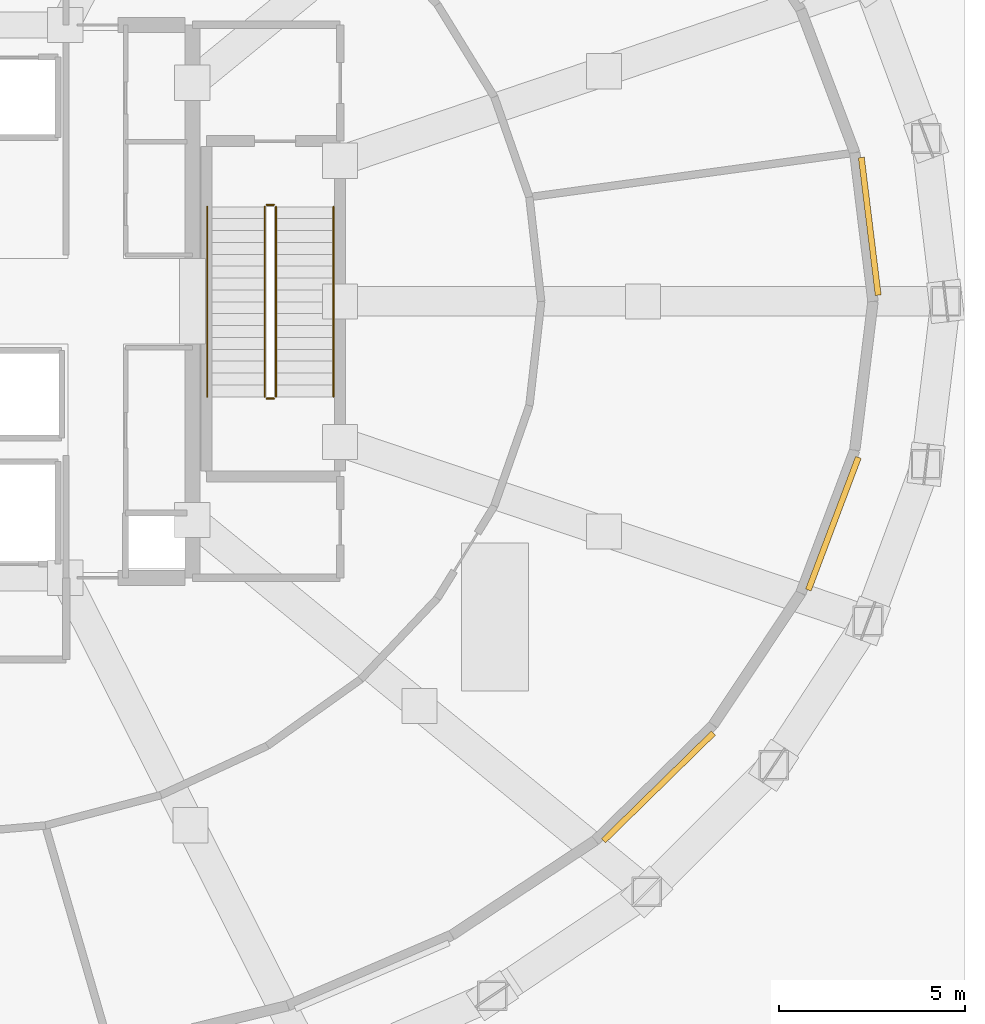
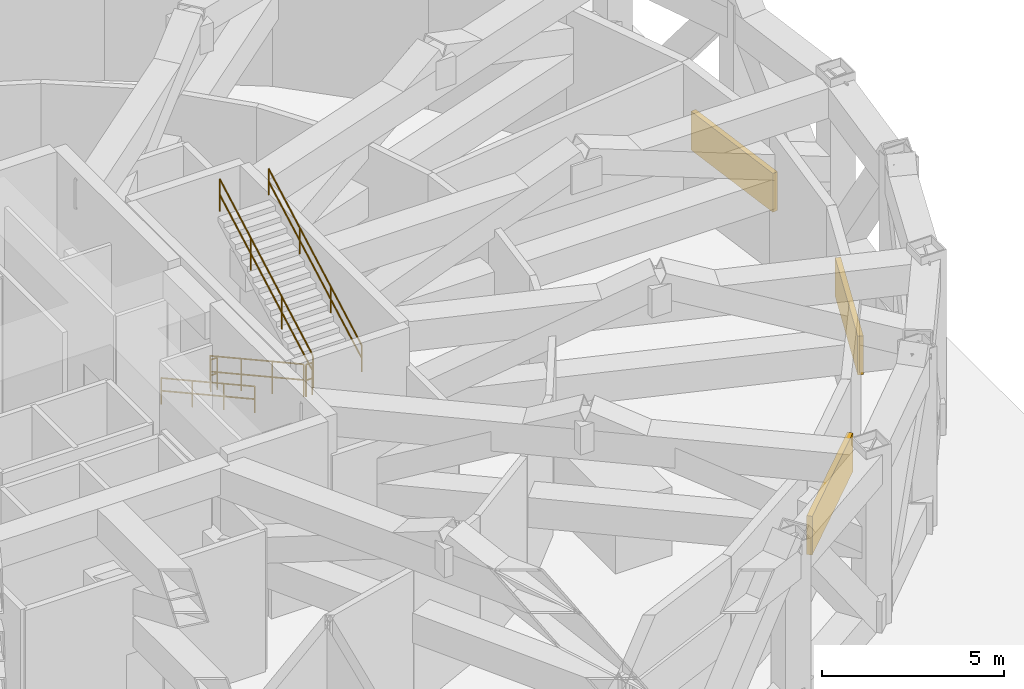
# One storey, part 10 of 12: 6 railings, 3 shading devices.
"""IFC4 building model written with IfcOpenShell, lengths in metres."""

import ifcopenshell
import ifcopenshell.guid

model = None  # the IFC model being written
_history = None  # IfcOwnerHistory: only IFC2X3 demands one
_inside = {}  # id of a spatial element -> (the spatial element, [elements in it])
_under = {}  # id of a project, library or spatial element -> (it, [spatial elements below it])
_declared = {}  # id of a project -> (the project, [libraries it declares])
_typed = {}  # id of a type object -> (the type object, [elements of that type])
_made_of = {}  # id of a material, layer set ... -> (it, [elements and type objects made of it])


def new_model(schema):
    """Start an empty IFC model of exactly this schema.

    Asked for "IFC4X3", IfcOpenShell would pick the latest addendum, in which some entities
    have other attributes; the version numbers below select the first issue.
    IFC2X3 requires an IfcOwnerHistory on every rooted entity: one is made here for all.
    """
    global model, _history
    if schema == "IFC4X3":
        model = ifcopenshell.file(schema_version=(4, 3, 0, 0))
    else:
        model = ifcopenshell.file(schema=schema)
    _inside.clear()
    _under.clear()
    _declared.clear()
    _typed.clear()
    _made_of.clear()
    _history = None
    if model.schema == "IFC2X3":
        org = make("IfcOrganization", Name="unknown")
        user = make(
            "IfcPersonAndOrganization",
            ThePerson=make("IfcPerson", FamilyName="unknown"),
            TheOrganization=org,
        )
        app = make(
            "IfcApplication",
            ApplicationDeveloper=org,
            Version="unknown",
            ApplicationFullName="unknown",
            ApplicationIdentifier="unknown",
        )
        _history = make(
            "IfcOwnerHistory",
            OwningUser=user,
            OwningApplication=app,
            ChangeAction="ADDED",
            CreationDate=0,
        )
    return model


def make(cls, **values):
    """One entity of the class cls with the attributes given. An attribute that is None is left unset."""
    return model.create_entity(
        cls, **{name: value for name, value in values.items() if value is not None}
    )


def rooted(cls, **values):
    """An entity with a GlobalId (a new one), such as an element, a storey or a relation."""
    return make(cls, GlobalId=ifcopenshell.guid.new(), OwnerHistory=_history, **values)


def si_unit(unit_type, name, prefix=None):
    """IfcSIUnit, for example si_unit("LENGTHUNIT", "METRE", prefix="MILLI")."""
    return make("IfcSIUnit", UnitType=unit_type, Prefix=prefix, Name=name)


def assignment(units):
    """IfcUnitAssignment: the units of a project."""
    return None if units is None else make("IfcUnitAssignment", Units=units)


def point(xyz):
    """IfcCartesianPoint."""
    return None if xyz is None else make("IfcCartesianPoint", Coordinates=xyz)


def direction(xyz):
    """IfcDirection."""
    return None if xyz is None else make("IfcDirection", DirectionRatios=xyz)


def frame(location, z_axis=None, x_axis=None):
    """IfcAxis2Placement3D, a coordinate frame: its origin and axes. An axis left out is left unset."""
    return make(
        "IfcAxis2Placement3D",
        Location=point(location),
        Axis=direction(z_axis),
        RefDirection=direction(x_axis),
    )


def frame_2d(location, x_axis=None):
    """IfcAxis2Placement2D, a coordinate frame in the plane: its origin and x axis."""
    return make(
        "IfcAxis2Placement2D", Location=point(location), RefDirection=direction(x_axis)
    )


def origin():
    """The frame at (0, 0, 0) with its axes left unset."""
    return frame((0.0, 0.0, 0.0))


def origin_2d():
    """The frame at (0, 0) in the plane with its x axis left unset."""
    return frame_2d((0.0, 0.0))


def place(relative_to, where):
    """IfcLocalPlacement: puts the frame where relative to a parent placement (None: the world)."""
    return make(
        "IfcLocalPlacement", PlacementRelTo=relative_to, RelativePlacement=where
    )


def context(
    kind, dimensions, precision=None, world=None, true_north=None, identifier=None
):
    """IfcGeometricRepresentationContext, for example the 3D "Model" context."""
    return make(
        "IfcGeometricRepresentationContext",
        ContextIdentifier=identifier,
        ContextType=kind,
        CoordinateSpaceDimension=dimensions,
        Precision=precision,
        WorldCoordinateSystem=world,
        TrueNorth=true_north,
    )


def subcontext(parent, identifier, kind, view, scale=None):
    """IfcGeometricRepresentationSubContext, for example "Body" below "Model"."""
    return make(
        "IfcGeometricRepresentationSubContext",
        ContextIdentifier=identifier,
        ContextType=kind,
        ParentContext=parent,
        TargetScale=scale,
        TargetView=view,
    )


def project(units=None, contexts=None):
    """IfcProject with its units and contexts."""
    return rooted(
        "IfcProject",
        Name="project",
        RepresentationContexts=contexts,
        UnitsInContext=assignment(units),
    )


def spatial(cls, under=None, at=None, **own):
    """A site, building, storey or space (cls), placed at a placement, below another one or the project."""
    s = rooted(cls, ObjectPlacement=at, **own)
    if under is not None:
        _under.setdefault(under.id(), (under, []))[1].append(s)
    return s


def profile(cls, at=None, kind="AREA", **sizes):
    """A parametric profile (cls). Its sizes go by their IFC names, for example OverallWidth=200.0."""
    return make(cls, ProfileType=kind, Position=at, **sizes)


def rectangle(**sizes):
    """IfcRectangleProfileDef."""
    return profile("IfcRectangleProfileDef", **sizes)


def circle(**sizes):
    """IfcCircleProfileDef."""
    return profile("IfcCircleProfileDef", **sizes)


def extrude(swept, where, along, depth):
    """IfcExtrudedAreaSolid: the profile swept, set in the frame where, extruded along a direction by depth."""
    return make(
        "IfcExtrudedAreaSolid",
        SweptArea=swept,
        Position=where,
        ExtrudedDirection=direction(along),
        Depth=depth,
    )


def shape(context_of_items, identifier, shape_type, items):
    """IfcShapeRepresentation: the items that make up one representation, for example the "Body"."""
    return make(
        "IfcShapeRepresentation",
        ContextOfItems=context_of_items,
        RepresentationIdentifier=identifier,
        RepresentationType=shape_type,
        Items=items,
    )


def material(Name=None, Category=None):
    """IfcMaterial."""
    return make("IfcMaterial", Name=Name, Category=Category)


def layer(
    of_material, thickness, ventilated=None, Name=None, Category=None, Priority=None
):
    """IfcMaterialLayer: one layer of a wall or slab, of a material (None: an air gap)."""
    return make(
        "IfcMaterialLayer",
        Material=of_material,
        LayerThickness=thickness,
        IsVentilated=ventilated,
        Name=Name,
        Category=Category,
        Priority=Priority,
    )


def layer_set(layers, Name=None):
    """IfcMaterialLayerSet."""
    return make("IfcMaterialLayerSet", MaterialLayers=layers, LayerSetName=Name)


def made_of(thing, what):
    """Note that an element or type object is made of a material, layer set ...; save() writes the relation."""
    if what is not None:
        _made_of.setdefault(what.id(), (what, []))[1].append(thing)
    return thing


def type_object(cls, material=None, **own):
    """A type object (cls), such as IfcWallType, which elements share."""
    return made_of(rooted(cls, **own), material)


def element(
    cls,
    number,
    at=None,
    inside=None,
    cuts=None,
    type_object=None,
    material=None,
    context=None,
    identifier="Body",
    shape_type=None,
    held_by="IfcProductDefinitionShape",
    body=None,
    shapes=None,
    **own,
):
    """One element of the class cls, such as IfcWall. Its Tag is "e" and its number.

    at: its placement. inside: the storey or other place that contains it. cuts: it is an
    opening in that element (IfcRelVoidsElement). A single representation is given by context,
    identifier, shape_type and body (its items); several are given by shapes. held_by: the class
    of the entity that holds the representations. save() writes the other relations.
    """
    e = rooted(cls, Tag="e%d" % number, ObjectPlacement=at, **own)
    if body is not None:
        shapes = [shape(context, identifier, shape_type, body)]
    if shapes is not None:
        e.Representation = make(held_by, Representations=shapes)
    if inside is not None:
        _inside.setdefault(inside.id(), (inside, []))[1].append(e)
    if cuts is not None:
        rooted(
            "IfcRelVoidsElement", RelatingBuildingElement=cuts, RelatedOpeningElement=e
        )
    if type_object is not None:
        _typed.setdefault(type_object.id(), (type_object, []))[1].append(e)
    return made_of(e, material)


def aggregate(whole, parts):
    """IfcRelAggregates: a whole, such as a stair, and the parts it consists of."""
    return rooted("IfcRelAggregates", RelatingObject=whole, RelatedObjects=parts)


def save(model, path):
    """Write the relations noted so far, then the file.

    IfcRelAggregates (storeys below a building ...), IfcRelContainedInSpatialStructure (elements
    in a storey), IfcRelDefinesByType, IfcRelAssociatesMaterial and IfcRelDeclares: one each for
    every whole, place, type object, material and project.
    """
    for whole, parts in _under.values():
        aggregate(whole, parts)
    for where, things in _inside.values():
        rooted(
            "IfcRelContainedInSpatialStructure",
            RelatedElements=things,
            RelatingStructure=where,
        )
    for kind, things in _typed.values():
        rooted("IfcRelDefinesByType", RelatedObjects=things, RelatingType=kind)
    for what, things in _made_of.values():
        rooted("IfcRelAssociatesMaterial", RelatedObjects=things, RelatingMaterial=what)
    for by, libraries in _declared.values():
        rooted("IfcRelDeclares", RelatingContext=by, RelatedDefinitions=libraries)
    model.write(path)


model = new_model("IFC4")

# Units and contexts
model_context = context("Model", 3, precision=1e-05, world=origin(), true_north=direction((0.0, 1.0)))
body_context = subcontext(model_context, "Body", "Model", "MODEL_VIEW")
ifc_project = project(units=[si_unit("LENGTHUNIT", "METRE"), si_unit("AREAUNIT", "SQUARE_METRE"), si_unit("VOLUMEUNIT", "CUBIC_METRE"), si_unit("PLANEANGLEUNIT", "RADIAN"), si_unit("MASSUNIT", "GRAM", prefix="KILO")], contexts=[model_context])

# Site, building, storey
site_placement = place(None, origin())
site = spatial("IfcSite", under=ifc_project, at=site_placement, CompositionType="ELEMENT")
building_placement = place(site_placement, origin())
building = spatial("IfcBuilding", under=site, at=building_placement, Name="Veldorina Hangang Commons", CompositionType="ELEMENT")
storey_placement = place(building_placement, frame((0.0, 0.0, 24.39990234375)))
storey = spatial("IfcBuildingStorey", under=building, at=storey_placement, Name="L05", CompositionType="ELEMENT", Elevation=24.39990234375)

# Shading devices
ifc_material_1 = material(Name="Bronze Perforated Anodized", Category="metal")
ifc_layer = layer(ifc_material_1, 0.159912109375)
ifc_layer_set = layer_set([ifc_layer], Name="Bronze Perforated Anodized")
shading_device_type = type_object("IfcShadingDeviceType", Name="LVR-WND-4800", PredefinedType="JALOUSIE", material=ifc_layer_set)
shading_device_1_placement = place(storey_placement, frame((57.45361328125, 26.02294921875, 1.75), z_axis=(0.0, 0.0, 1.0), x_axis=(-0.121540195942, 0.992586510472, 0.0)))
element("IfcShadingDevice", 1, at=shading_device_1_placement, inside=storey, type_object=shading_device_type, Name="L05 transfer plant acoustic louvre 00", PredefinedType="JALOUSIE", context=body_context, shape_type="SweptSolid", body=[
    extrude(rectangle(XDim=3.737060546875, YDim=0.159912109375, at=origin_2d()), origin(), (0.0, 0.0, 1.0), 1.300048828125),
])
shading_device_2_placement = place(storey_placement, frame((51.759521484375, 10.91796875, 1.75), z_axis=(0.0, 0.0, 1.0), x_axis=(0.714216191641, 0.699925161427, 0.0)))
element("IfcShadingDevice", 2, at=shading_device_2_placement, inside=storey, type_object=shading_device_type, Name="L05 transfer plant acoustic louvre 28", PredefinedType="JALOUSIE", context=body_context, shape_type="SweptSolid", body=[
    extrude(rectangle(XDim=4.147216796875, YDim=0.159912109375, at=origin_2d()), origin(), (0.0, 0.0, 1.0), 1.300048828125),
])
shading_device_3_placement = place(storey_placement, frame((56.472412109375, 18.009765625, 1.75), z_axis=(0.0, 0.0, 1.0), x_axis=(0.352936008096, 0.935647462557, 0.0)))
element("IfcShadingDevice", 3, at=shading_device_3_placement, inside=storey, type_object=shading_device_type, Name="L05 transfer plant acoustic louvre 30", PredefinedType="JALOUSIE", context=body_context, shape_type="SweptSolid", body=[
    extrude(rectangle(XDim=3.818115234375, YDim=0.159912109375, at=origin_2d()), origin(), (0.0, 0.0, 1.0), 1.300048828125),
])

# Railings
ifc_material_2 = material(Name="Steel Painted Balustrade", Category="steel")
railing_type_1 = type_object("IfcRailingType", Name="RL-GRD-STAIR", PredefinedType="GUARDRAIL", material=ifc_material_2)
railing_1_placement = place(storey_placement, frame((41.14990234375, 26.550048828125, 0.176513671875)))
element("IfcRailing", 4, at=railing_1_placement, inside=storey, type_object=railing_type_1, Name="L05 ST-2 stair guard 1", PredefinedType="GUARDRAIL", context=body_context, shape_type="SweptSolid", body=[
    extrude(circle(Radius=0.02392578125, at=origin_2d()), frame((0.0, 0.0, 1.076171875), z_axis=(0.0, -0.875679367934, 0.482892994953), x_axis=(1.0, 0.0, 0.0)), (0.0, 0.0, 1.0), 5.846923828125),
    extrude(circle(Radius=0.02392578125, at=origin_2d()), frame((0.0, 0.0, 0.550048828125), z_axis=(0.0, -0.875679367934, 0.482892994953), x_axis=(1.0, 0.0, 0.0)), (0.0, 0.0, 1.0), 5.846923828125),
    extrude(circle(Radius=0.02099609375, at=origin_2d()), origin(), (0.0, 0.0, 1.0), 1.052001953125),
    extrude(circle(Radius=0.02099609375, at=origin_2d()), frame((0.0, -1.706787109375, 0.941162109375)), (0.0, 0.0, 1.0), 1.052001953125),
    extrude(circle(Radius=0.02099609375, at=origin_2d()), frame((0.0, -3.413330078125, 1.88232421875)), (0.0, 0.0, 1.0), 1.052001953125),
    extrude(circle(Radius=0.02099609375, at=origin_2d()), frame((0.0, -5.1201171875, 2.823486328125)), (0.0, 0.0, 1.0), 1.052001953125),
])
railing_2_placement = place(storey_placement, frame((41.199951171875, 21.3798828125, 3.0)))
element("IfcRailing", 5, at=railing_2_placement, inside=storey, type_object=railing_type_1, Name="L05 ST-2 stair guard 2", PredefinedType="GUARDRAIL", context=body_context, shape_type="SweptSolid", body=[
    extrude(circle(Radius=0.02392578125, at=origin_2d()), frame((0.0, 0.0, 1.076171875), z_axis=(1.0, 0.0, 0.0), x_axis=(0.0, 1.0, 0.0)), (0.0, 0.0, 1.0), 0.199951171875),
    extrude(circle(Radius=0.02392578125, at=origin_2d()), frame((0.0, 0.0, 0.550048828125), z_axis=(1.0, 0.0, 0.0), x_axis=(0.0, 1.0, 0.0)), (0.0, 0.0, 1.0), 0.199951171875),
    extrude(circle(Radius=0.02099609375, at=origin_2d()), origin(), (0.0, 0.0, 1.0), 1.052001953125),
    extrude(circle(Radius=0.02099609375, at=origin_2d()), frame((0.199951171875, 0.0, 0.0)), (0.0, 0.0, 1.0), 1.052001953125),
])
railing_3_placement = place(storey_placement, frame((41.449951171875, 21.429931640625, 3.176513671875)))
element("IfcRailing", 6, at=railing_3_placement, inside=storey, type_object=railing_type_1, Name="L05 ST-2 stair guard 3", PredefinedType="GUARDRAIL", context=body_context, shape_type="SweptSolid", body=[
    extrude(circle(Radius=0.02392578125, at=origin_2d()), frame((0.0, 0.0, 1.076171875), z_axis=(0.0, 0.875679367934, 0.482892994953), x_axis=(-1.0, 0.0, 0.0)), (0.0, 0.0, 1.0), 5.846923828125),
    extrude(circle(Radius=0.02392578125, at=origin_2d()), frame((0.0, 0.0, 0.550048828125), z_axis=(0.0, 0.875679367934, 0.482892994953), x_axis=(-1.0, 0.0, 0.0)), (0.0, 0.0, 1.0), 5.846923828125),
    extrude(circle(Radius=0.02099609375, at=origin_2d()), origin(), (0.0, 0.0, 1.0), 1.052001953125),
    extrude(circle(Radius=0.02099609375, at=origin_2d()), frame((0.0, 1.706787109375, 0.941162109375)), (0.0, 0.0, 1.0), 1.052001953125),
    extrude(circle(Radius=0.02099609375, at=origin_2d()), frame((0.0, 3.413330078125, 1.88232421875)), (0.0, 0.0, 1.0), 1.052001953125),
    extrude(circle(Radius=0.02099609375, at=origin_2d()), frame((0.0, 5.1201171875, 2.823486328125)), (0.0, 0.0, 1.0), 1.052001953125),
])
railing_4_placement = place(storey_placement, frame((41.199951171875, 26.60009765625, 0.0)))
element("IfcRailing", 7, at=railing_4_placement, inside=storey, type_object=railing_type_1, Name="L05 ST-2 stair guard 4", PredefinedType="GUARDRAIL", context=body_context, shape_type="SweptSolid", body=[
    extrude(circle(Radius=0.02392578125, at=origin_2d()), frame((0.0, 0.0, 1.076171875), z_axis=(1.0, 0.0, 0.0), x_axis=(0.0, 1.0, 0.0)), (0.0, 0.0, 1.0), 0.199951171875),
    extrude(circle(Radius=0.02392578125, at=origin_2d()), frame((0.0, 0.0, 0.550048828125), z_axis=(1.0, 0.0, 0.0), x_axis=(0.0, 1.0, 0.0)), (0.0, 0.0, 1.0), 0.199951171875),
    extrude(circle(Radius=0.02099609375, at=origin_2d()), origin(), (0.0, 0.0, 1.0), 1.052001953125),
    extrude(circle(Radius=0.02099609375, at=origin_2d()), frame((0.199951171875, 0.0, 0.0)), (0.0, 0.0, 1.0), 1.052001953125),
])
ifc_material_3 = material(Name="Stainless Steel Brushed 316", Category="steel")
railing_type_2 = type_object("IfcRailingType", Name="RL-HND-STAIR", PredefinedType="HANDRAIL", material=ifc_material_3)
railing_5_placement = place(storey_placement, frame((39.60009765625, 26.550048828125, 0.176513671875)))
element("IfcRailing", 8, at=railing_5_placement, inside=storey, type_object=railing_type_2, Name="L05 ST-2 stair handrail 1", PredefinedType="HANDRAIL", context=body_context, shape_type="SweptSolid", body=[
    extrude(circle(Radius=0.02392578125, at=origin_2d()), frame((0.0, 0.0, 0.8759765625), z_axis=(0.0, -0.875679367934, 0.482892994953), x_axis=(1.0, 0.0, 0.0)), (0.0, 0.0, 1.0), 5.846923828125),
    extrude(circle(Radius=0.02392578125, at=origin_2d()), frame((0.0, 0.0, 0.449951171875), z_axis=(0.0, -0.875679367934, 0.482892994953), x_axis=(1.0, 0.0, 0.0)), (0.0, 0.0, 1.0), 5.846923828125),
    extrude(circle(Radius=0.02099609375, at=origin_2d()), origin(), (0.0, 0.0, 1.0), 0.851806640625),
    extrude(circle(Radius=0.02099609375, at=origin_2d()), frame((0.0, -1.706787109375, 0.941162109375)), (0.0, 0.0, 1.0), 0.851806640625),
    extrude(circle(Radius=0.02099609375, at=origin_2d()), frame((0.0, -3.413330078125, 1.88232421875)), (0.0, 0.0, 1.0), 0.851806640625),
    extrude(circle(Radius=0.02099609375, at=origin_2d()), frame((0.0, -5.1201171875, 2.823486328125)), (0.0, 0.0, 1.0), 0.851806640625),
])
railing_6_placement = place(storey_placement, frame((43.0, 21.429931640625, 3.176513671875)))
element("IfcRailing", 9, at=railing_6_placement, inside=storey, type_object=railing_type_2, Name="L05 ST-2 stair handrail 2", PredefinedType="HANDRAIL", context=body_context, shape_type="SweptSolid", body=[
    extrude(circle(Radius=0.02392578125, at=origin_2d()), frame((0.0, 0.0, 0.8759765625), z_axis=(0.0, 0.875679367934, 0.482892994953), x_axis=(-1.0, 0.0, 0.0)), (0.0, 0.0, 1.0), 5.846923828125),
    extrude(circle(Radius=0.02392578125, at=origin_2d()), frame((0.0, 0.0, 0.449951171875), z_axis=(0.0, 0.875679367934, 0.482892994953), x_axis=(-1.0, 0.0, 0.0)), (0.0, 0.0, 1.0), 5.846923828125),
    extrude(circle(Radius=0.02099609375, at=origin_2d()), origin(), (0.0, 0.0, 1.0), 0.851806640625),
    extrude(circle(Radius=0.02099609375, at=origin_2d()), frame((0.0, 1.706787109375, 0.941162109375)), (0.0, 0.0, 1.0), 0.851806640625),
    extrude(circle(Radius=0.02099609375, at=origin_2d()), frame((0.0, 3.413330078125, 1.88232421875)), (0.0, 0.0, 1.0), 0.851806640625),
    extrude(circle(Radius=0.02099609375, at=origin_2d()), frame((0.0, 5.1201171875, 2.823486328125)), (0.0, 0.0, 1.0), 0.851806640625),
])

save(model, "model.ifc")
